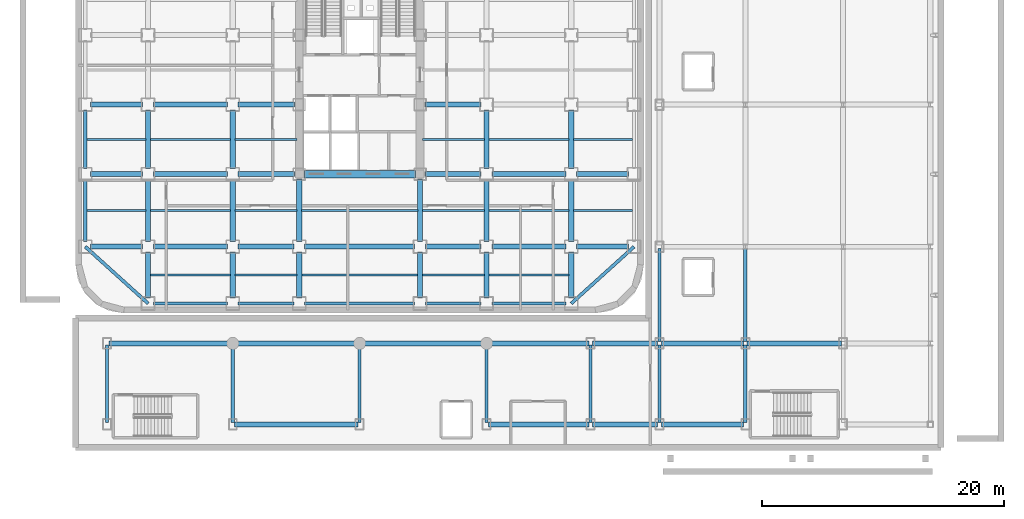
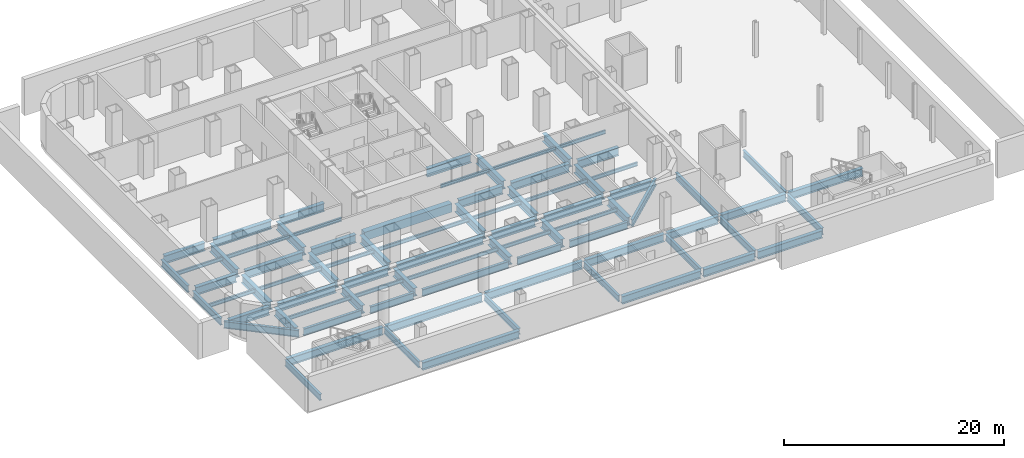
# One storey, part 5 of 16: 81 beams.
"""IFC4 building model written with IfcOpenShell, lengths in metres."""

from ifc_helpers import new_model, si_unit, direction, frame, origin, origin_2d, place, context, subcontext, project, spatial, rectangle, i_section, extrude, source, transform, mapped, material, material_profile, profile_set, type_object, element, save


model = new_model("IFC4")

# Units and contexts
model_context = context("Model", 3, precision=1e-05, world=origin(), true_north=direction((0.0, 1.0)))
body_context = subcontext(model_context, "Body", "Model", "MODEL_VIEW")
ifc_project = project(units=[si_unit("LENGTHUNIT", "METRE"), si_unit("AREAUNIT", "SQUARE_METRE"), si_unit("VOLUMEUNIT", "CUBIC_METRE"), si_unit("PLANEANGLEUNIT", "RADIAN"), si_unit("MASSUNIT", "GRAM", prefix="KILO")], contexts=[model_context])

# Site, building, storey
site_placement = place(None, origin())
site = spatial("IfcSite", under=ifc_project, at=site_placement, CompositionType="ELEMENT")
building_placement = place(site_placement, origin())
building = spatial("IfcBuilding", under=site, at=building_placement, Name="Kolveth Station Tower", CompositionType="ELEMENT")
storey_placement = place(building_placement, frame((0.0, 0.0, -4.199951171875)))
storey = spatial("IfcBuildingStorey", under=building, at=storey_placement, Name="B1", CompositionType="ELEMENT", Elevation=-4.199951171875)

# Beams
ifc_material_1 = material(Name="Steel S355", Category="steel")
ifc_material_profile_1 = material_profile(ifc_material_1, i_section(OverallWidth=0.26904296875, OverallDepth=0.77490234375, WebThickness=0.01708984375, FlangeThickness=0.0283203125, at=origin_2d()), Name="W760x220")
ifc_profile_set_1 = profile_set([ifc_material_profile_1], Name="Steel S355")
beam_type_1 = type_object("IfcBeamType", Name="Beam_SP1", PredefinedType="SPANDREL", material=ifc_profile_set_1)
shared_shape_1 = source(origin(), body_context, "Body", "SweptSolid", [
    extrude(i_section(OverallWidth=0.26904296875, OverallDepth=0.77490234375, WebThickness=0.01708984375, FlangeThickness=0.0283203125, at=origin_2d()), origin(), (0.0, 0.0, 1.0), 6.10009765625),
])
for number, where, z_axis, x_axis, name in (
    (1, (6.449951171875, 0.800048828125, -0.70751953125), (1.0, 0.0, 0.0), (0.0, 1.0, 0.0), "B1 Perimeter Spandrel BM-B1-PS-1"),
    (2, (34.449951171875, 0.800048828125, -0.70751953125), (1.0, 0.0, 0.0), (0.0, 1.0, 0.0), "B1 Perimeter Spandrel BM-B1-PS-5"),
):
    element("IfcBeam", number, at=place(storey_placement, frame(where, z_axis=z_axis, x_axis=x_axis)), inside=storey, type_object=beam_type_1, Name=name, PredefinedType="SPANDREL", context=body_context, shape_type="MappedRepresentation", body=[
        mapped(shared_shape_1, transform((0.0, 0.0, 0.0), x_axis=(1.0, 0.0, 0.0), y_axis=(0.0, 1.0, 0.0), z_axis=(0.0, 0.0, 1.0), scale=1.0)),
    ])
shared_shape_2 = source(origin(), body_context, "Body", "SweptSolid", [
    extrude(i_section(OverallWidth=0.26904296875, OverallDepth=0.77490234375, WebThickness=0.01708984375, FlangeThickness=0.0283203125, at=origin_2d()), origin(), (0.0, 0.0, 1.0), 4.60009765625),
])
for number, where, z_axis, x_axis, name in (
    (3, (13.449951171875, 0.800048828125, -0.70751953125), (1.0, 0.0, 0.0), (0.0, 1.0, 0.0), "B1 Perimeter Spandrel BM-B1-PS-2"),
    (4, (28.949951171875, 0.800048828125, -0.70751953125), (1.0, 0.0, 0.0), (0.0, 1.0, 0.0), "B1 Perimeter Spandrel BM-B1-PS-4"),
):
    element("IfcBeam", number, at=place(storey_placement, frame(where, z_axis=z_axis, x_axis=x_axis)), inside=storey, type_object=beam_type_1, Name=name, PredefinedType="SPANDREL", context=body_context, shape_type="MappedRepresentation", body=[
        mapped(shared_shape_2, transform((0.0, 0.0, 0.0), x_axis=(1.0, 0.0, 0.0), y_axis=(0.0, 1.0, 0.0), z_axis=(0.0, 0.0, 1.0), scale=1.0)),
    ])
shared_shape_3 = source(origin(), body_context, "Body", "SweptSolid", [
    extrude(i_section(OverallWidth=0.26904296875, OverallDepth=0.77490234375, WebThickness=0.01708984375, FlangeThickness=0.0283203125, at=origin_2d()), origin(), (0.0, 0.0, 1.0), 9.10009765625),
])
beam_1_placement = place(storey_placement, frame((18.949951171875, 0.800048828125, -0.70751953125), z_axis=(1.0, 0.0, 0.0), x_axis=(0.0, 1.0, 0.0)))
element("IfcBeam", 5, at=beam_1_placement, inside=storey, type_object=beam_type_1, Name="B1 Perimeter Spandrel BM-B1-PS-3", PredefinedType="SPANDREL", context=body_context, shape_type="MappedRepresentation", body=[
    mapped(shared_shape_3, transform((0.0, 0.0, 0.0), x_axis=(1.0, 0.0, 0.0), y_axis=(0.0, 1.0, 0.0), z_axis=(0.0, 0.0, 1.0), scale=1.0)),
])
shared_shape_4 = source(origin(), body_context, "Body", "SweptSolid", [
    extrude(i_section(OverallWidth=0.26904296875, OverallDepth=0.77490234375, WebThickness=0.01708984375, FlangeThickness=0.0283203125, at=origin_2d()), origin(), (0.0, 0.0, 1.0), 5.10009765625),
])
beam_2_placement = place(storey_placement, frame((0.800048828125, 5.949951171875, -0.70751953125), z_axis=(0.0, 1.0, 0.0), x_axis=(-1.0, 0.0, 0.0)))
element("IfcBeam", 6, at=beam_2_placement, inside=storey, type_object=beam_type_1, Name="B1 Perimeter Spandrel BM-B1-PW-1", PredefinedType="SPANDREL", context=body_context, shape_type="MappedRepresentation", body=[
    mapped(shared_shape_4, transform((0.0, 0.0, 0.0), x_axis=(1.0, 0.0, 0.0), y_axis=(0.0, 1.0, 0.0), z_axis=(0.0, 0.0, 1.0), scale=1.0)),
])
shared_shape_5 = source(origin(), body_context, "Body", "SweptSolid", [
    extrude(i_section(OverallWidth=0.26904296875, OverallDepth=0.77490234375, WebThickness=0.01708984375, FlangeThickness=0.0283203125, at=origin_2d()), origin(), (0.0, 0.0, 1.0), 4.85009765625),
])
beam_3_placement = place(storey_placement, frame((0.800048828125, 11.949951171875, -0.70751953125), z_axis=(0.0, 1.0, 0.0), x_axis=(-1.0, 0.0, 0.0)))
element("IfcBeam", 7, at=beam_3_placement, inside=storey, type_object=beam_type_1, Name="B1 Perimeter Spandrel BM-B1-PW-2", PredefinedType="SPANDREL", context=body_context, shape_type="MappedRepresentation", body=[
    mapped(shared_shape_5, transform((0.0, 0.0, 0.0), x_axis=(1.0, 0.0, 0.0), y_axis=(0.0, 1.0, 0.0), z_axis=(0.0, 0.0, 1.0), scale=1.0)),
])
shared_shape_6 = source(origin(), body_context, "Body", "SweptSolid", [
    extrude(i_section(OverallWidth=0.26904296875, OverallDepth=0.77490234375, WebThickness=0.01708984375, FlangeThickness=0.0283203125, at=origin_2d()), origin(), (0.0, 0.0, 1.0), 7.00927734375),
])
for number, where, z_axis, x_axis, name in (
    (8, (0.800048828125, 5.5, -0.70751953125), (0.741874009795, -0.670539300557, 0.0), (0.670539300557, 0.741874009795, 0.0), "B1 Corner Edge Girder BM-B1-CNR-SW"),
    (9, (41.0, 0.800048828125, -0.70751953125), (0.741874009795, 0.670539300557, 0.0), (-0.670539300557, 0.741874009795, 0.0), "B1 Corner Edge Girder BM-B1-CNR-SE"),
):
    element("IfcBeam", number, at=place(storey_placement, frame(where, z_axis=z_axis, x_axis=x_axis)), inside=storey, type_object=beam_type_1, Name=name, PredefinedType="SPANDREL", context=body_context, shape_type="MappedRepresentation", body=[
        mapped(shared_shape_6, transform((0.0, 0.0, 0.0), x_axis=(1.0, 0.0, 0.0), y_axis=(0.0, 1.0, 0.0), z_axis=(0.0, 0.0, 1.0), scale=1.0)),
    ])
ifc_material_profile_2 = material_profile(ifc_material_1, i_section(OverallWidth=0.41796875, OverallDepth=0.912109375, WebThickness=0.019287109375, FlangeThickness=0.031982421875, at=origin_2d()), Name="W920x342")
ifc_profile_set_2 = profile_set([ifc_material_profile_2], Name="Steel S355")
beam_type_2 = type_object("IfcBeamType", Name="Beam_B1", PredefinedType="BEAM", material=ifc_profile_set_2)
shared_shape_7 = source(origin(), body_context, "Body", "SweptSolid", [
    extrude(i_section(OverallWidth=0.41796875, OverallDepth=0.912109375, WebThickness=0.019287109375, FlangeThickness=0.031982421875, at=origin_2d()), origin(), (0.0, 0.0, 1.0), 4.300048828125),
])
for number, where, z_axis, x_axis, name in (
    (10, (1.25, 5.5, -0.776123046875), (1.0, 0.0, 0.0), (0.0, 1.0, 0.0), "B1 Primary Girder BM-B1-GY55-1"),
    (11, (41.449951171875, 5.5, -0.776123046875), (1.0, 0.0, 0.0), (0.0, 1.0, 0.0), "B1 Primary Girder BM-B1-GY55-7"),
    (12, (1.25, 11.5, -0.776123046875), (1.0, 0.0, 0.0), (0.0, 1.0, 0.0), "B1 Primary Girder BM-B1-GY115-1"),
    (13, (41.449951171875, 11.5, -0.776123046875), (1.0, 0.0, 0.0), (0.0, 1.0, 0.0), "B1 Primary Girder BM-B1-GY115-7"),
    (14, (1.25, 17.25, -0.776123046875), (1.0, 0.0, 0.0), (0.0, 1.0, 0.0), "B1 Primary Girder BM-B1-GY172-1"),
):
    element("IfcBeam", number, at=place(storey_placement, frame(where, z_axis=z_axis, x_axis=x_axis)), inside=storey, type_object=beam_type_2, Name=name, PredefinedType="BEAM", context=body_context, shape_type="MappedRepresentation", body=[
        mapped(shared_shape_7, transform((0.0, 0.0, 0.0), x_axis=(1.0, 0.0, 0.0), y_axis=(0.0, 1.0, 0.0), z_axis=(0.0, 0.0, 1.0), scale=1.0)),
    ])
shared_shape_8 = source(origin(), body_context, "Body", "SweptSolid", [
    extrude(i_section(OverallWidth=0.41796875, OverallDepth=0.912109375, WebThickness=0.019287109375, FlangeThickness=0.031982421875, at=origin_2d()), origin(), (0.0, 0.0, 1.0), 6.10009765625),
])
for number, where, z_axis, x_axis, name in (
    (15, (6.449951171875, 5.5, -0.776123046875), (1.0, 0.0, 0.0), (0.0, 1.0, 0.0), "B1 Primary Girder BM-B1-GY55-2"),
    (16, (34.449951171875, 5.5, -0.776123046875), (1.0, 0.0, 0.0), (0.0, 1.0, 0.0), "B1 Primary Girder BM-B1-GY55-6"),
    (17, (6.449951171875, 11.5, -0.776123046875), (1.0, 0.0, 0.0), (0.0, 1.0, 0.0), "B1 Primary Girder BM-B1-GY115-2"),
    (18, (34.449951171875, 11.5, -0.776123046875), (1.0, 0.0, 0.0), (0.0, 1.0, 0.0), "B1 Primary Girder BM-B1-GY115-6"),
    (19, (6.449951171875, 17.25, -0.776123046875), (1.0, 0.0, 0.0), (0.0, 1.0, 0.0), "B1 Primary Girder BM-B1-GY172-2"),
):
    element("IfcBeam", number, at=place(storey_placement, frame(where, z_axis=z_axis, x_axis=x_axis)), inside=storey, type_object=beam_type_2, Name=name, PredefinedType="BEAM", context=body_context, shape_type="MappedRepresentation", body=[
        mapped(shared_shape_8, transform((0.0, 0.0, 0.0), x_axis=(1.0, 0.0, 0.0), y_axis=(0.0, 1.0, 0.0), z_axis=(0.0, 0.0, 1.0), scale=1.0)),
    ])
shared_shape_9 = source(origin(), body_context, "Body", "SweptSolid", [
    extrude(i_section(OverallWidth=0.41796875, OverallDepth=0.912109375, WebThickness=0.019287109375, FlangeThickness=0.031982421875, at=origin_2d()), origin(), (0.0, 0.0, 1.0), 4.60009765625),
])
for number, where, z_axis, x_axis, name in (
    (20, (13.449951171875, 5.5, -0.776123046875), (1.0, 0.0, 0.0), (0.0, 1.0, 0.0), "B1 Primary Girder BM-B1-GY55-3"),
    (21, (28.949951171875, 5.5, -0.776123046875), (1.0, 0.0, 0.0), (0.0, 1.0, 0.0), "B1 Primary Girder BM-B1-GY55-5"),
):
    element("IfcBeam", number, at=place(storey_placement, frame(where, z_axis=z_axis, x_axis=x_axis)), inside=storey, type_object=beam_type_2, Name=name, PredefinedType="BEAM", context=body_context, shape_type="MappedRepresentation", body=[
        mapped(shared_shape_9, transform((0.0, 0.0, 0.0), x_axis=(1.0, 0.0, 0.0), y_axis=(0.0, 1.0, 0.0), z_axis=(0.0, 0.0, 1.0), scale=1.0)),
    ])
shared_shape_10 = source(origin(), body_context, "Body", "SweptSolid", [
    extrude(i_section(OverallWidth=0.41796875, OverallDepth=0.912109375, WebThickness=0.019287109375, FlangeThickness=0.031982421875, at=origin_2d()), origin(), (0.0, 0.0, 1.0), 9.10009765625),
])
beam_4_placement = place(storey_placement, frame((18.949951171875, 5.5, -0.776123046875), z_axis=(1.0, 0.0, 0.0), x_axis=(0.0, 1.0, 0.0)))
element("IfcBeam", 22, at=beam_4_placement, inside=storey, type_object=beam_type_2, Name="B1 Primary Girder BM-B1-GY55-4", PredefinedType="BEAM", context=body_context, shape_type="MappedRepresentation", body=[
    mapped(shared_shape_10, transform((0.0, 0.0, 0.0), x_axis=(1.0, 0.0, 0.0), y_axis=(0.0, 1.0, 0.0), z_axis=(0.0, 0.0, 1.0), scale=1.0)),
])
shared_shape_11 = source(origin(), body_context, "Body", "SweptSolid", [
    extrude(i_section(OverallWidth=0.41796875, OverallDepth=0.912109375, WebThickness=0.019287109375, FlangeThickness=0.031982421875, at=origin_2d()), origin(), (0.0, 0.0, 1.0), 4.650146484375),
])
for number, where, z_axis, x_axis, name in (
    (23, (13.449951171875, 11.5, -0.776123046875), (1.0, 0.0, 0.0), (0.0, 1.0, 0.0), "B1 Primary Girder BM-B1-GY115-3"),
    (24, (28.89990234375, 11.5, -0.776123046875), (1.0, 0.0, 0.0), (0.0, 1.0, 0.0), "B1 Primary Girder BM-B1-GY115-5"),
    (25, (13.449951171875, 17.25, -0.776123046875), (1.0, 0.0, 0.0), (0.0, 1.0, 0.0), "B1 Primary Girder BM-B1-GY172-3"),
    (26, (28.89990234375, 17.25, -0.776123046875), (1.0, 0.0, 0.0), (0.0, 1.0, 0.0), "B1 Primary Girder BM-B1-GY172-5"),
):
    element("IfcBeam", number, at=place(storey_placement, frame(where, z_axis=z_axis, x_axis=x_axis)), inside=storey, type_object=beam_type_2, Name=name, PredefinedType="BEAM", context=body_context, shape_type="MappedRepresentation", body=[
        mapped(shared_shape_11, transform((0.0, 0.0, 0.0), x_axis=(1.0, 0.0, 0.0), y_axis=(0.0, 1.0, 0.0), z_axis=(0.0, 0.0, 1.0), scale=1.0)),
    ])
ifc_material_2 = material(Name="Concrete C60/75", Category="concrete")
ifc_material_profile_3 = material_profile(ifc_material_2, rectangle(XDim=0.60009765625, YDim=0.949951171875, at=origin_2d()), Name="RC-600x950")
ifc_profile_set_3 = profile_set([ifc_material_profile_3], Name="Concrete C60/75")
beam_type_3 = type_object("IfcBeamType", Name="Beam_CB1", PredefinedType="BEAM", material=ifc_profile_set_3)
shared_shape_12 = source(origin(), body_context, "Body", "SweptSolid", [
    extrude(rectangle(XDim=0.60009765625, YDim=0.949951171875, at=origin_2d()), origin(), (0.0, 0.0, 1.0), 9.2001953125),
])
beam_5_placement = place(storey_placement, frame((18.89990234375, 11.5, -0.795166015625), z_axis=(1.0, 0.0, 0.0), x_axis=(0.0, 1.0, 0.0)))
element("IfcBeam", 27, at=beam_5_placement, inside=storey, type_object=beam_type_3, Name="B1 Core Coupling Beam BM-B1-CB-Y115", PredefinedType="BEAM", context=body_context, shape_type="MappedRepresentation", body=[
    mapped(shared_shape_12, transform((0.0, 0.0, 0.0), x_axis=(1.0, 0.0, 0.0), y_axis=(0.0, 1.0, 0.0), z_axis=(0.0, 0.0, 1.0), scale=1.0)),
])
shared_shape_13 = source(origin(), body_context, "Body", "SweptSolid", [
    extrude(i_section(OverallWidth=0.41796875, OverallDepth=0.912109375, WebThickness=0.019287109375, FlangeThickness=0.031982421875, at=origin_2d()), origin(), (0.0, 0.0, 1.0), 3.800048828125),
])
for number, where, z_axis, x_axis, name in (
    (28, (6.0, 1.25, -0.776123046875), (0.0, 1.0, 0.0), (-1.0, 0.0, 0.0), "B1 Primary Girder BM-B1-GX60-1"),
    (29, (13.0, 1.25, -0.776123046875), (0.0, 1.0, 0.0), (-1.0, 0.0, 0.0), "B1 Primary Girder BM-B1-GX130-1"),
    (30, (18.5, 1.25, -0.776123046875), (0.0, 1.0, 0.0), (-1.0, 0.0, 0.0), "B1 Primary Girder BM-B1-GX185-1"),
    (31, (28.5, 1.25, -0.776123046875), (0.0, 1.0, 0.0), (-1.0, 0.0, 0.0), "B1 Primary Girder BM-B1-GX285-1"),
    (32, (34.0, 1.25, -0.776123046875), (0.0, 1.0, 0.0), (-1.0, 0.0, 0.0), "B1 Primary Girder BM-B1-GX340-1"),
    (33, (41.0, 1.25, -0.776123046875), (0.0, 1.0, 0.0), (-1.0, 0.0, 0.0), "B1 Primary Girder BM-B1-GX410-1"),
):
    element("IfcBeam", number, at=place(storey_placement, frame(where, z_axis=z_axis, x_axis=x_axis)), inside=storey, type_object=beam_type_2, Name=name, PredefinedType="BEAM", context=body_context, shape_type="MappedRepresentation", body=[
        mapped(shared_shape_13, transform((0.0, 0.0, 0.0), x_axis=(1.0, 0.0, 0.0), y_axis=(0.0, 1.0, 0.0), z_axis=(0.0, 0.0, 1.0), scale=1.0)),
    ])
shared_shape_14 = source(origin(), body_context, "Body", "SweptSolid", [
    extrude(i_section(OverallWidth=0.41796875, OverallDepth=0.912109375, WebThickness=0.019287109375, FlangeThickness=0.031982421875, at=origin_2d()), origin(), (0.0, 0.0, 1.0), 5.10009765625),
])
for number, where, z_axis, x_axis, name in (
    (34, (6.0, 5.949951171875, -0.776123046875), (0.0, 1.0, 0.0), (-1.0, 0.0, 0.0), "B1 Primary Girder BM-B1-GX60-2"),
    (35, (13.0, 5.949951171875, -0.776123046875), (0.0, 1.0, 0.0), (-1.0, 0.0, 0.0), "B1 Primary Girder BM-B1-GX130-2"),
    (36, (34.0, 5.949951171875, -0.776123046875), (0.0, 1.0, 0.0), (-1.0, 0.0, 0.0), "B1 Primary Girder BM-B1-GX340-2"),
    (37, (41.0, 5.949951171875, -0.776123046875), (0.0, 1.0, 0.0), (-1.0, 0.0, 0.0), "B1 Primary Girder BM-B1-GX410-2"),
):
    element("IfcBeam", number, at=place(storey_placement, frame(where, z_axis=z_axis, x_axis=x_axis)), inside=storey, type_object=beam_type_2, Name=name, PredefinedType="BEAM", context=body_context, shape_type="MappedRepresentation", body=[
        mapped(shared_shape_14, transform((0.0, 0.0, 0.0), x_axis=(1.0, 0.0, 0.0), y_axis=(0.0, 1.0, 0.0), z_axis=(0.0, 0.0, 1.0), scale=1.0)),
    ])
shared_shape_15 = source(origin(), body_context, "Body", "SweptSolid", [
    extrude(i_section(OverallWidth=0.41796875, OverallDepth=0.912109375, WebThickness=0.019287109375, FlangeThickness=0.031982421875, at=origin_2d()), origin(), (0.0, 0.0, 1.0), 4.85009765625),
])
for number, where, z_axis, x_axis, name in (
    (38, (6.0, 11.949951171875, -0.776123046875), (0.0, 1.0, 0.0), (-1.0, 0.0, 0.0), "B1 Primary Girder BM-B1-GX60-3"),
    (39, (13.0, 11.949951171875, -0.776123046875), (0.0, 1.0, 0.0), (-1.0, 0.0, 0.0), "B1 Primary Girder BM-B1-GX130-3"),
    (40, (34.0, 11.949951171875, -0.776123046875), (0.0, 1.0, 0.0), (-1.0, 0.0, 0.0), "B1 Primary Girder BM-B1-GX340-3"),
    (41, (41.0, 11.949951171875, -0.776123046875), (0.0, 1.0, 0.0), (-1.0, 0.0, 0.0), "B1 Primary Girder BM-B1-GX410-3"),
):
    element("IfcBeam", number, at=place(storey_placement, frame(where, z_axis=z_axis, x_axis=x_axis)), inside=storey, type_object=beam_type_2, Name=name, PredefinedType="BEAM", context=body_context, shape_type="MappedRepresentation", body=[
        mapped(shared_shape_15, transform((0.0, 0.0, 0.0), x_axis=(1.0, 0.0, 0.0), y_axis=(0.0, 1.0, 0.0), z_axis=(0.0, 0.0, 1.0), scale=1.0)),
    ])
shared_shape_16 = source(origin(), body_context, "Body", "SweptSolid", [
    extrude(i_section(OverallWidth=0.41796875, OverallDepth=0.912109375, WebThickness=0.019287109375, FlangeThickness=0.031982421875, at=origin_2d()), origin(), (0.0, 0.0, 1.0), 5.150146484375),
])
for number, where, z_axis, x_axis, name in (
    (42, (18.5, 5.949951171875, -0.776123046875), (0.0, 1.0, 0.0), (-1.0, 0.0, 0.0), "B1 Primary Girder BM-B1-GX185-2"),
    (43, (28.5, 5.949951171875, -0.776123046875), (0.0, 1.0, 0.0), (-1.0, 0.0, 0.0), "B1 Primary Girder BM-B1-GX285-2"),
):
    element("IfcBeam", number, at=place(storey_placement, frame(where, z_axis=z_axis, x_axis=x_axis)), inside=storey, type_object=beam_type_2, Name=name, PredefinedType="BEAM", context=body_context, shape_type="MappedRepresentation", body=[
        mapped(shared_shape_16, transform((0.0, 0.0, 0.0), x_axis=(1.0, 0.0, 0.0), y_axis=(0.0, 1.0, 0.0), z_axis=(0.0, 0.0, 1.0), scale=1.0)),
    ])
ifc_material_profile_4 = material_profile(ifc_material_1, i_section(OverallWidth=0.177978515625, OverallDepth=0.406982421875, WebThickness=0.0078125, FlangeThickness=0.0126953125, at=origin_2d()), Name="W410x60")
ifc_profile_set_4 = profile_set([ifc_material_profile_4], Name="Steel S355")
beam_type_4 = type_object("IfcBeamType", Name="Beam_J1", PredefinedType="JOIST", material=ifc_profile_set_4)
shared_shape_17 = source(origin(), body_context, "Body", "SweptSolid", [
    extrude(i_section(OverallWidth=0.177978515625, OverallDepth=0.406982421875, WebThickness=0.0078125, FlangeThickness=0.0126953125, at=origin_2d()), origin(), (0.0, 0.0, 1.0), 4.872314453125),
])
for number, where, z_axis, x_axis, name in (
    (44, (0.9326171875, 8.5, -0.5234375), (1.0, 0.0, 0.0), (0.0, 1.0, 0.0), "B1 Secondary Joist JST-B1-1-2"),
    (45, (0.9326171875, 14.375, -0.5234375), (1.0, 0.0, 0.0), (0.0, 1.0, 0.0), "B1 Secondary Joist JST-B1-1-3"),
    (46, (41.195068359375, 8.5, -0.5234375), (1.0, 0.0, 0.0), (0.0, 1.0, 0.0), "B1 Secondary Joist JST-B1-7-2"),
    (47, (41.195068359375, 14.375, -0.5234375), (1.0, 0.0, 0.0), (0.0, 1.0, 0.0), "B1 Secondary Joist JST-B1-7-3"),
):
    element("IfcBeam", number, at=place(storey_placement, frame(where, z_axis=z_axis, x_axis=x_axis)), inside=storey, type_object=beam_type_4, Name=name, PredefinedType="JOIST", context=body_context, shape_type="MappedRepresentation", body=[
        mapped(shared_shape_17, transform((0.0, 0.0, 0.0), x_axis=(1.0, 0.0, 0.0), y_axis=(0.0, 1.0, 0.0), z_axis=(0.0, 0.0, 1.0), scale=1.0)),
    ])
shared_shape_18 = source(origin(), body_context, "Body", "SweptSolid", [
    extrude(i_section(OverallWidth=0.177978515625, OverallDepth=0.406982421875, WebThickness=0.0078125, FlangeThickness=0.0126953125, at=origin_2d()), origin(), (0.0, 0.0, 1.0), 6.60986328125),
])
for number, where, z_axis, x_axis, name in (
    (48, (6.195068359375, 3.14990234375, -0.5234375), (1.0, 0.0, 0.0), (0.0, 1.0, 0.0), "B1 Secondary Joist JST-B1-2-1"),
    (49, (6.195068359375, 8.5, -0.5234375), (1.0, 0.0, 0.0), (0.0, 1.0, 0.0), "B1 Secondary Joist JST-B1-2-2"),
    (50, (6.195068359375, 14.375, -0.5234375), (1.0, 0.0, 0.0), (0.0, 1.0, 0.0), "B1 Secondary Joist JST-B1-2-3"),
    (51, (34.195068359375, 3.14990234375, -0.5234375), (1.0, 0.0, 0.0), (0.0, 1.0, 0.0), "B1 Secondary Joist JST-B1-6-1"),
    (52, (34.195068359375, 8.5, -0.5234375), (1.0, 0.0, 0.0), (0.0, 1.0, 0.0), "B1 Secondary Joist JST-B1-6-2"),
    (53, (34.195068359375, 14.375, -0.5234375), (1.0, 0.0, 0.0), (0.0, 1.0, 0.0), "B1 Secondary Joist JST-B1-6-3"),
):
    element("IfcBeam", number, at=place(storey_placement, frame(where, z_axis=z_axis, x_axis=x_axis)), inside=storey, type_object=beam_type_4, Name=name, PredefinedType="JOIST", context=body_context, shape_type="MappedRepresentation", body=[
        mapped(shared_shape_18, transform((0.0, 0.0, 0.0), x_axis=(1.0, 0.0, 0.0), y_axis=(0.0, 1.0, 0.0), z_axis=(0.0, 0.0, 1.0), scale=1.0)),
    ])
shared_shape_19 = source(origin(), body_context, "Body", "SweptSolid", [
    extrude(i_section(OverallWidth=0.177978515625, OverallDepth=0.406982421875, WebThickness=0.0078125, FlangeThickness=0.0126953125, at=origin_2d()), origin(), (0.0, 0.0, 1.0), 5.10986328125),
])
for number, where, z_axis, x_axis, name in (
    (54, (13.195068359375, 3.14990234375, -0.5234375), (1.0, 0.0, 0.0), (0.0, 1.0, 0.0), "B1 Secondary Joist JST-B1-3-1"),
    (55, (13.195068359375, 8.5, -0.5234375), (1.0, 0.0, 0.0), (0.0, 1.0, 0.0), "B1 Secondary Joist JST-B1-3-2"),
    (56, (13.195068359375, 14.375, -0.5234375), (1.0, 0.0, 0.0), (0.0, 1.0, 0.0), "B1 Secondary Joist JST-B1-3-3"),
    (57, (28.695068359375, 3.14990234375, -0.5234375), (1.0, 0.0, 0.0), (0.0, 1.0, 0.0), "B1 Secondary Joist JST-B1-5-1"),
    (58, (28.695068359375, 8.5, -0.5234375), (1.0, 0.0, 0.0), (0.0, 1.0, 0.0), "B1 Secondary Joist JST-B1-5-2"),
    (59, (28.695068359375, 14.375, -0.5234375), (1.0, 0.0, 0.0), (0.0, 1.0, 0.0), "B1 Secondary Joist JST-B1-5-3"),
):
    element("IfcBeam", number, at=place(storey_placement, frame(where, z_axis=z_axis, x_axis=x_axis)), inside=storey, type_object=beam_type_4, Name=name, PredefinedType="JOIST", context=body_context, shape_type="MappedRepresentation", body=[
        mapped(shared_shape_19, transform((0.0, 0.0, 0.0), x_axis=(1.0, 0.0, 0.0), y_axis=(0.0, 1.0, 0.0), z_axis=(0.0, 0.0, 1.0), scale=1.0)),
    ])
shared_shape_20 = source(origin(), body_context, "Body", "SweptSolid", [
    extrude(i_section(OverallWidth=0.177978515625, OverallDepth=0.406982421875, WebThickness=0.0078125, FlangeThickness=0.0126953125, at=origin_2d()), origin(), (0.0, 0.0, 1.0), 9.60986328125),
])
for number, where, z_axis, x_axis, name in (
    (60, (18.695068359375, 3.14990234375, -0.5234375), (1.0, 0.0, 0.0), (0.0, 1.0, 0.0), "B1 Secondary Joist JST-B1-4-1"),
    (61, (18.695068359375, 8.5, -0.5234375), (1.0, 0.0, 0.0), (0.0, 1.0, 0.0), "B1 Secondary Joist JST-B1-4-2"),
):
    element("IfcBeam", number, at=place(storey_placement, frame(where, z_axis=z_axis, x_axis=x_axis)), inside=storey, type_object=beam_type_4, Name=name, PredefinedType="JOIST", context=body_context, shape_type="MappedRepresentation", body=[
        mapped(shared_shape_20, transform((0.0, 0.0, 0.0), x_axis=(1.0, 0.0, 0.0), y_axis=(0.0, 1.0, 0.0), z_axis=(0.0, 0.0, 1.0), scale=1.0)),
    ])
ifc_material_profile_5 = material_profile(ifc_material_1, i_section(OverallWidth=0.40087890625, OverallDepth=0.85107421875, WebThickness=0.01611328125, FlangeThickness=0.025390625, at=origin_2d()), Name="W840x226")
ifc_profile_set_5 = profile_set([ifc_material_profile_5], Name="Steel S355")
beam_type_5 = type_object("IfcBeamType", Name="Beam_B2", PredefinedType="BEAM", material=ifc_profile_set_5)
shared_shape_21 = source(origin(), body_context, "Body", "SweptSolid", [
    extrude(i_section(OverallWidth=0.40087890625, OverallDepth=0.85107421875, WebThickness=0.01611328125, FlangeThickness=0.025390625, at=origin_2d()), origin(), (0.0, 0.0, 1.0), 10.10009765625),
])
beam_6_placement = place(storey_placement, frame((2.75, -2.5, -0.74560546875), z_axis=(1.0, 0.0, 0.0), x_axis=(0.0, 1.0, 0.0)))
element("IfcBeam", 62, at=beam_6_placement, inside=storey, type_object=beam_type_5, Name="B1 Station Concourse Girder SBM-B1-SL2-1", PredefinedType="BEAM", context=body_context, shape_type="MappedRepresentation", body=[
    mapped(shared_shape_21, transform((0.0, 0.0, 0.0), x_axis=(1.0, 0.0, 0.0), y_axis=(0.0, 1.0, 0.0), z_axis=(0.0, 0.0, 1.0), scale=1.0)),
])
shared_shape_22 = source(origin(), body_context, "Body", "SweptSolid", [
    extrude(i_section(OverallWidth=0.40087890625, OverallDepth=0.85107421875, WebThickness=0.01611328125, FlangeThickness=0.025390625, at=origin_2d()), origin(), (0.0, 0.0, 1.0), 10.2001953125),
])
for number, where, z_axis, x_axis, name in (
    (63, (13.14990234375, -9.199951171875, -0.74560546875), (1.0, 0.0, 0.0), (0.0, 1.0, 0.0), "B1 Station Concourse Girder SBM-B1-SL1-2"),
    (64, (13.14990234375, -2.5, -0.74560546875), (1.0, 0.0, 0.0), (0.0, 1.0, 0.0), "B1 Station Concourse Girder SBM-B1-SL2-2"),
    (65, (23.64990234375, -2.5, -0.74560546875), (1.0, 0.0, 0.0), (0.0, 1.0, 0.0), "B1 Station Concourse Girder SBM-B1-SL2-3"),
):
    element("IfcBeam", number, at=place(storey_placement, frame(where, z_axis=z_axis, x_axis=x_axis)), inside=storey, type_object=beam_type_5, Name=name, PredefinedType="BEAM", context=body_context, shape_type="MappedRepresentation", body=[
        mapped(shared_shape_22, transform((0.0, 0.0, 0.0), x_axis=(1.0, 0.0, 0.0), y_axis=(0.0, 1.0, 0.0), z_axis=(0.0, 0.0, 1.0), scale=1.0)),
    ])
shared_shape_23 = source(origin(), body_context, "Body", "SweptSolid", [
    extrude(i_section(OverallWidth=0.40087890625, OverallDepth=0.85107421875, WebThickness=0.01611328125, FlangeThickness=0.025390625, at=origin_2d()), origin(), (0.0, 0.0, 1.0), 8.300048828125),
])
for number, where, z_axis, x_axis, name in (
    (66, (34.14990234375, -9.199951171875, -0.74560546875), (1.0, 0.0, 0.0), (0.0, 1.0, 0.0), "B1 Station Concourse Girder SBM-B1-SL1-4"),
    (67, (34.14990234375, -2.5, -0.74560546875), (1.0, 0.0, 0.0), (0.0, 1.0, 0.0), "B1 Station Concourse Girder SBM-B1-SL2-4"),
):
    element("IfcBeam", number, at=place(storey_placement, frame(where, z_axis=z_axis, x_axis=x_axis)), inside=storey, type_object=beam_type_5, Name=name, PredefinedType="BEAM", context=body_context, shape_type="MappedRepresentation", body=[
        mapped(shared_shape_23, transform((0.0, 0.0, 0.0), x_axis=(1.0, 0.0, 0.0), y_axis=(0.0, 1.0, 0.0), z_axis=(0.0, 0.0, 1.0), scale=1.0)),
    ])
shared_shape_24 = source(origin(), body_context, "Body", "SweptSolid", [
    extrude(i_section(OverallWidth=0.40087890625, OverallDepth=0.85107421875, WebThickness=0.01611328125, FlangeThickness=0.025390625, at=origin_2d()), origin(), (0.0, 0.0, 1.0), 5.39990234375),
])
for number, where, z_axis, x_axis, name in (
    (68, (42.75, -9.199951171875, -0.74560546875), (1.0, 0.0, 0.0), (0.0, 1.0, 0.0), "B1 Station Concourse Girder SBM-B1-SL1-5"),
    (69, (42.75, -2.5, -0.74560546875), (1.0, 0.0, 0.0), (0.0, 1.0, 0.0), "B1 Station Concourse Girder SBM-B1-SL2-5"),
):
    element("IfcBeam", number, at=place(storey_placement, frame(where, z_axis=z_axis, x_axis=x_axis)), inside=storey, type_object=beam_type_5, Name=name, PredefinedType="BEAM", context=body_context, shape_type="MappedRepresentation", body=[
        mapped(shared_shape_24, transform((0.0, 0.0, 0.0), x_axis=(1.0, 0.0, 0.0), y_axis=(0.0, 1.0, 0.0), z_axis=(0.0, 0.0, 1.0), scale=1.0)),
    ])
ifc_material_profile_6 = material_profile(ifc_material_1, i_section(OverallWidth=0.25390625, OverallDepth=0.68798828125, WebThickness=0.01318359375, FlangeThickness=0.02099609375, at=origin_2d()), Name="W690x152")
ifc_profile_set_6 = profile_set([ifc_material_profile_6], Name="Steel S355")
beam_type_6 = type_object("IfcBeamType", Name="Beam_B4", PredefinedType="BEAM", material=ifc_profile_set_6)
shared_shape_25 = source(origin(), body_context, "Body", "SweptSolid", [
    extrude(i_section(OverallWidth=0.25390625, OverallDepth=0.68798828125, WebThickness=0.01318359375, FlangeThickness=0.02099609375, at=origin_2d()), origin(), (0.0, 0.0, 1.0), 6.400146484375),
])
for number, where, z_axis, x_axis, name in (
    (70, (2.60009765625, -9.050048828125, -0.6640625), (0.0, 1.0, 0.0), (-1.0, 0.0, 0.0), "B1 Station Transverse Beam SBM-B1-ST-1"),
    (71, (13.0, -9.050048828125, -0.6640625), (0.0, 1.0, 0.0), (-1.0, 0.0, 0.0), "B1 Station Transverse Beam SBM-B1-ST-2"),
    (72, (23.5, -9.050048828125, -0.6640625), (0.0, 1.0, 0.0), (-1.0, 0.0, 0.0), "B1 Station Transverse Beam SBM-B1-ST-3"),
    (73, (34.0, -9.050048828125, -0.6640625), (0.0, 1.0, 0.0), (-1.0, 0.0, 0.0), "B1 Station Transverse Beam SBM-B1-ST-4"),
    (74, (42.60009765625, -9.050048828125, -0.6640625), (0.0, 1.0, 0.0), (-1.0, 0.0, 0.0), "B1 Station Transverse Beam SBM-B1-ST-5"),
):
    element("IfcBeam", number, at=place(storey_placement, frame(where, z_axis=z_axis, x_axis=x_axis)), inside=storey, type_object=beam_type_6, Name=name, PredefinedType="BEAM", context=body_context, shape_type="MappedRepresentation", body=[
        mapped(shared_shape_25, transform((0.0, 0.0, 0.0), x_axis=(1.0, 0.0, 0.0), y_axis=(0.0, 1.0, 0.0), z_axis=(0.0, 0.0, 1.0), scale=1.0)),
    ])
shared_shape_26 = source(origin(), body_context, "Body", "SweptSolid", [
    extrude(i_section(OverallWidth=0.40087890625, OverallDepth=0.85107421875, WebThickness=0.01611328125, FlangeThickness=0.025390625, at=origin_2d()), origin(), (0.0, 0.0, 1.0), 6.800048828125),
])
for number, where, z_axis, x_axis, name in (
    (75, (48.449951171875, -9.199951171875, -0.74560546875), (1.0, 0.0, 0.0), (0.0, 1.0, 0.0), "B1 Station Portal Girder SBM-B1-EW-1-1"),
    (76, (48.449951171875, -2.5, -0.74560546875), (1.0, 0.0, 0.0), (0.0, 1.0, 0.0), "B1 Station Portal Girder SBM-B1-EW-2-1"),
):
    element("IfcBeam", number, at=place(storey_placement, frame(where, z_axis=z_axis, x_axis=x_axis)), inside=storey, type_object=beam_type_5, Name=name, PredefinedType="BEAM", context=body_context, shape_type="MappedRepresentation", body=[
        mapped(shared_shape_26, transform((0.0, 0.0, 0.0), x_axis=(1.0, 0.0, 0.0), y_axis=(0.0, 1.0, 0.0), z_axis=(0.0, 0.0, 1.0), scale=1.0)),
    ])
shared_shape_27 = source(origin(), body_context, "Body", "SweptSolid", [
    extrude(i_section(OverallWidth=0.40087890625, OverallDepth=0.85107421875, WebThickness=0.01611328125, FlangeThickness=0.025390625, at=origin_2d()), origin(), (0.0, 0.0, 1.0), 7.800048828125),
])
beam_7_placement = place(storey_placement, frame((55.550048828125, -2.5, -0.74560546875), z_axis=(1.0, 0.0, 0.0), x_axis=(0.0, 1.0, 0.0)))
element("IfcBeam", 77, at=beam_7_placement, inside=storey, type_object=beam_type_5, Name="B1 Station Portal Girder SBM-B1-EW-2-2", PredefinedType="BEAM", context=body_context, shape_type="MappedRepresentation", body=[
    mapped(shared_shape_27, transform((0.0, 0.0, 0.0), x_axis=(1.0, 0.0, 0.0), y_axis=(0.0, 1.0, 0.0), z_axis=(0.0, 0.0, 1.0), scale=1.0)),
])
ifc_material_profile_7 = material_profile(ifc_material_1, i_section(OverallWidth=0.26708984375, OverallDepth=0.76611328125, WebThickness=0.014892578125, FlangeThickness=0.023681640625, at=origin_2d()), Name="W760x185")
ifc_profile_set_7 = profile_set([ifc_material_profile_7], Name="Steel S355")
beam_type_7 = type_object("IfcBeamType", Name="Beam_B3", PredefinedType="BEAM", material=ifc_profile_set_7)
shared_shape_28 = source(origin(), body_context, "Body", "SweptSolid", [
    extrude(i_section(OverallWidth=0.26708984375, OverallDepth=0.76611328125, WebThickness=0.014892578125, FlangeThickness=0.023681640625, at=origin_2d()), origin(), (0.0, 0.0, 1.0), 6.400146484375),
])
for number, where, z_axis, x_axis, name in (
    (78, (48.300048828125, -9.050048828125, -0.703125), (0.0, 1.0, 0.0), (-1.0, 0.0, 0.0), "B1 Station Spine Girder SBM-B1-NS-1-1"),
    (79, (55.39990234375, -9.050048828125, -0.703125), (0.0, 1.0, 0.0), (-1.0, 0.0, 0.0), "B1 Station Spine Girder SBM-B1-NS-2-1"),
):
    element("IfcBeam", number, at=place(storey_placement, frame(where, z_axis=z_axis, x_axis=x_axis)), inside=storey, type_object=beam_type_7, Name=name, PredefinedType="BEAM", context=body_context, shape_type="MappedRepresentation", body=[
        mapped(shared_shape_28, transform((0.0, 0.0, 0.0), x_axis=(1.0, 0.0, 0.0), y_axis=(0.0, 1.0, 0.0), z_axis=(0.0, 0.0, 1.0), scale=1.0)),
    ])
shared_shape_29 = source(origin(), body_context, "Body", "SweptSolid", [
    extrude(i_section(OverallWidth=0.26708984375, OverallDepth=0.76611328125, WebThickness=0.014892578125, FlangeThickness=0.023681640625, at=origin_2d()), origin(), (0.0, 0.0, 1.0), 7.7001953125),
])
for number, where, z_axis, x_axis, name in (
    (80, (48.300048828125, -2.35009765625, -0.703125), (0.0, 1.0, 0.0), (-1.0, 0.0, 0.0), "B1 Station Spine Girder SBM-B1-NS-1-2"),
    (81, (55.39990234375, -2.35009765625, -0.703125), (0.0, 1.0, 0.0), (-1.0, 0.0, 0.0), "B1 Station Spine Girder SBM-B1-NS-2-2"),
):
    element("IfcBeam", number, at=place(storey_placement, frame(where, z_axis=z_axis, x_axis=x_axis)), inside=storey, type_object=beam_type_7, Name=name, PredefinedType="BEAM", context=body_context, shape_type="MappedRepresentation", body=[
        mapped(shared_shape_29, transform((0.0, 0.0, 0.0), x_axis=(1.0, 0.0, 0.0), y_axis=(0.0, 1.0, 0.0), z_axis=(0.0, 0.0, 1.0), scale=1.0)),
    ])

save(model, "model.ifc")
